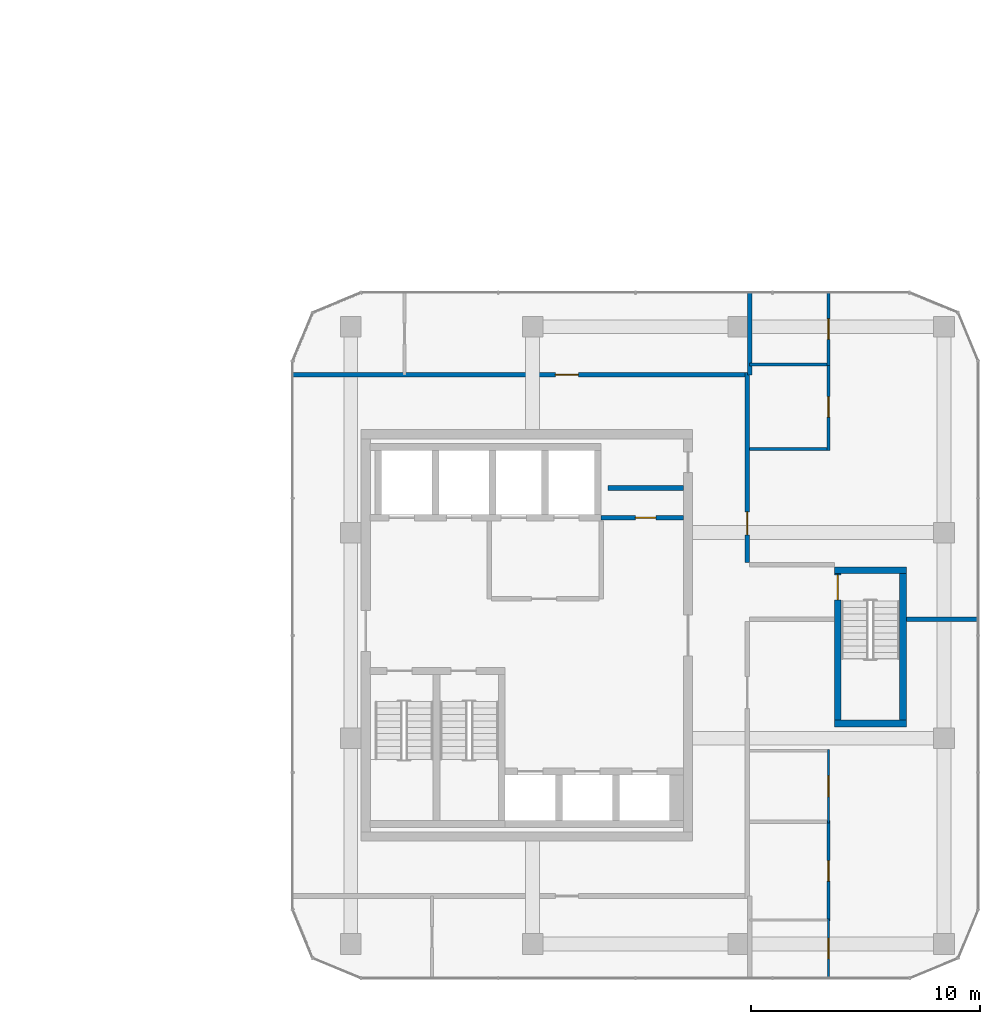
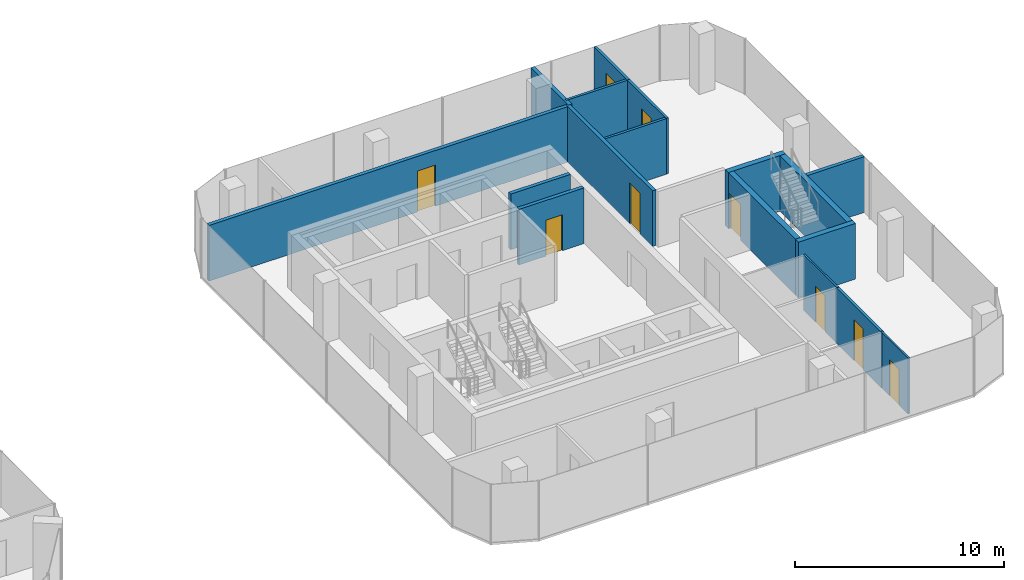
# One storey, part 18 of 22: 17 walls, 9 doors, 9 openings.
"""IFC4 building model written with IfcOpenShell, lengths in metres."""

from ifc_helpers import new_model, si_unit, direction, frame, frame_2d, origin, place, context, subcontext, project, spatial, rectangle, extrude, material, layer, layer_set, type_object, element, fill, save


model = new_model("IFC4")

# Units and contexts
model_context = context("Model", 3, precision=1e-05, world=origin(), true_north=direction((0.0, 1.0)))
body_context = subcontext(model_context, "Body", "Model", "MODEL_VIEW")
ifc_project = project(units=[si_unit("LENGTHUNIT", "METRE"), si_unit("AREAUNIT", "SQUARE_METRE"), si_unit("VOLUMEUNIT", "CUBIC_METRE"), si_unit("PLANEANGLEUNIT", "RADIAN"), si_unit("MASSUNIT", "GRAM", prefix="KILO")], contexts=[model_context])

# Site, building, storey
site_placement = place(None, origin())
site = spatial("IfcSite", under=ifc_project, at=site_placement, CompositionType="ELEMENT")
building_placement = place(site_placement, origin())
building = spatial("IfcBuilding", under=site, at=building_placement, Name="Plateau Cross Towers", CompositionType="ELEMENT")
storey_placement = place(building_placement, frame((0.0, 0.0, 102.800048828125)))
storey = spatial("IfcBuildingStorey", under=building, at=storey_placement, Name="L26", CompositionType="ELEMENT", Elevation=102.800048828125)

# Wall, opening, door
ifc_material_1 = material(Name="Concrete block, plastered both sides", Category="concrete")
ifc_layer_1 = layer(ifc_material_1, 0.199951171875)
ifc_layer_set_1 = layer_set([ifc_layer_1], Name="Concrete block, plastered both sides")
wall_type_1 = type_object("IfcWallType", Name="Core partition 200", PredefinedType="PARTITIONING", material=ifc_layer_set_1)
wall_1_placement = place(storey_placement, frame((85.5, 14.14990234375, 0.0), z_axis=(0.0, 0.0, 1.0), x_axis=(1.0, 0.0, 0.0)))
wall_1 = element("IfcWall", 1, at=wall_1_placement, inside=storey, type_object=wall_type_1, Name="Core partition", PredefinedType="PARTITIONING", context=body_context, shape_type="SweptSolid", body=[
    extrude(rectangle(XDim=3.60009765625, YDim=0.199951171875, at=frame_2d((1.800048828125, 0.0))), origin(), (0.0, 0.0, 1.0), 3.25),
])
opening_1_placement = place(wall_1_placement, frame((1.5, 0.0, 0.0)))
opening_1 = element("IfcOpeningElement", 2, at=opening_1_placement, cuts=wall_1, Name="Opening RD2", PredefinedType="OPENING", context=body_context, shape_type="SweptSolid", body=[
    extrude(rectangle(XDim=0.89990234375, YDim=2.10009765625, at=frame_2d((0.449951171875, 1.050048828125))), frame((0.0, 0.10986328125, 0.0), z_axis=(0.0, -1.0, 0.0), x_axis=(1.0, 0.0, 0.0)), (0.0, 0.0, 1.0), 0.219970703125),
])
ifc_material_2 = material(Name="Steel, fire-resisting leaf", Category="steel")
door_type_1 = type_object("IfcDoorType", Name="Core riser door 900", OperationType="NOTDEFINED", PredefinedType="DOOR", material=ifc_material_2)
door_1_placement = place(opening_1_placement, origin())
door_1 = element("IfcDoor", 3, at=door_1_placement, inside=storey, type_object=door_type_1, Name="Core riser door RD2", OperationType="SINGLE_SWING_LEFT", OverallHeight=2.10009765625, OverallWidth=0.89990234375, PredefinedType="DOOR", context=body_context, shape_type="SweptSolid", body=[
    extrude(rectangle(XDim=0.89990234375, YDim=2.10009765625, at=frame_2d((0.449951171875, 1.050048828125))), frame((0.0, 0.02490234375, 0.0), z_axis=(0.0, -1.0, 0.0), x_axis=(1.0, 0.0, 0.0)), (0.0, 0.0, 1.0), 0.050048828125),
])
fill(opening_1, door_1)

# Wall
wall_2_placement = place(storey_placement, frame((85.800048828125, 15.449951171875, 0.0), z_axis=(0.0, 0.0, 1.0), x_axis=(1.0, 0.0, 0.0)))
element("IfcWall", 4, at=wall_2_placement, inside=storey, type_object=wall_type_1, Name="Core partition", PredefinedType="PARTITIONING", context=body_context, shape_type="SweptSolid", body=[
    extrude(rectangle(XDim=3.300048828125, YDim=0.199951171875, at=frame_2d((1.64990234375, 0.0))), origin(), (0.0, 0.0, 1.0), 3.25),
])

# Wall, opening, door
ifc_material_3 = material(Name="Concrete C60/75", Category="concrete")
ifc_layer_2 = layer(ifc_material_3, 0.300048828125)
ifc_layer_set_2 = layer_set([ifc_layer_2], Name="Concrete C60/75")
wall_type_2 = type_object("IfcWallType", Name="Core shaft wall 300", PredefinedType="SHEAR", material=ifc_layer_set_2)
wall_3_placement = place(storey_placement, frame((95.85009765625, 5.300048828125, 0.0), z_axis=(0.0, 0.0, 1.0), x_axis=(0.0, 1.0, 0.0)))
wall_3 = element("IfcWall", 5, at=wall_3_placement, inside=storey, type_object=wall_type_2, Name="B-sb3-W@L26", PredefinedType="SHEAR", context=body_context, shape_type="SweptSolid", body=[
    extrude(rectangle(XDim=6.39990234375, YDim=0.300048828125, at=frame_2d((3.199951171875, 0.0))), origin(), (0.0, 0.0, 1.0), 3.25),
])
opening_2_placement = place(wall_3_placement, frame((5.25, 0.0, 0.0)))
opening_2 = element("IfcOpeningElement", 6, at=opening_2_placement, cuts=wall_3, Name="Opening SD", PredefinedType="OPENING", context=body_context, shape_type="SweptSolid", body=[
    extrude(rectangle(XDim=1.10009765625, YDim=2.10009765625, at=frame_2d((0.550048828125, 1.050048828125))), frame((0.0, 0.159912109375, 0.0), z_axis=(0.0, -1.0, 0.0), x_axis=(1.0, 0.0, 0.0)), (0.0, 0.0, 1.0), 0.320068359375),
])
door_type_2 = type_object("IfcDoorType", Name="Stair door 1100", OperationType="NOTDEFINED", PredefinedType="DOOR", material=ifc_material_2)
door_2_placement = place(opening_2_placement, origin())
door_2 = element("IfcDoor", 7, at=door_2_placement, inside=storey, type_object=door_type_2, Name="Stair door SD", OperationType="SINGLE_SWING_LEFT", OverallHeight=2.10009765625, OverallWidth=1.10009765625, PredefinedType="DOOR", context=body_context, shape_type="SweptSolid", body=[
    extrude(rectangle(XDim=1.10009765625, YDim=2.10009765625, at=frame_2d((0.550048828125, 1.050048828125))), frame((0.0, 0.02490234375, 0.0), z_axis=(0.0, -1.0, 0.0), x_axis=(1.0, 0.0, 0.0)), (0.0, 0.0, 1.0), 0.050048828125),
])
fill(opening_2, door_2)

# Walls
wall_4_placement = place(storey_placement, frame((98.699951171875, 5.300048828125, 0.0), z_axis=(0.0, 0.0, 1.0), x_axis=(0.0, 1.0, 0.0)))
element("IfcWall", 8, at=wall_4_placement, inside=storey, type_object=wall_type_2, Name="B-sb3-E@L26", PredefinedType="SHEAR", context=body_context, shape_type="SweptSolid", body=[
    extrude(rectangle(XDim=6.39990234375, YDim=0.300048828125, at=frame_2d((3.199951171875, 0.0))), origin(), (0.0, 0.0, 1.0), 3.25),
])
for number, where, z_axis, x_axis, name in (
    (9, (95.699951171875, 5.14990234375, 0.0), (0.0, 0.0, 1.0), (1.0, 0.0, 0.0), "B-sb3-S@L26"),
    (10, (95.699951171875, 11.85009765625, 0.0), (0.0, 0.0, 1.0), (1.0, 0.0, 0.0), "B-sb3-N@L26"),
):
    element("IfcWall", number, at=place(storey_placement, frame(where, z_axis=z_axis, x_axis=x_axis)), inside=storey, type_object=wall_type_2, Name=name, PredefinedType="SHEAR", context=body_context, shape_type="SweptSolid", body=[
        extrude(rectangle(XDim=3.150146484375, YDim=0.300048828125, at=frame_2d((1.5751953125, 0.0))), origin(), (0.0, 0.0, 1.0), 3.25),
    ])

# Wall, opening, door
ifc_material_4 = material(Name="Gypsum board on steel studs, two layers each side", Category="steel")
ifc_layer_3 = layer(ifc_material_4, 0.199951171875)
ifc_layer_set_3 = layer_set([ifc_layer_3], Name="Gypsum board on steel studs, two layers each side")
wall_type_3 = type_object("IfcWallType", Name="Corridor wall 200", PredefinedType="PARTITIONING", material=ifc_layer_set_3)
wall_5_placement = place(storey_placement, frame((72.0, 20.39990234375, 0.0), z_axis=(0.0, 0.0, 1.0), x_axis=(1.0, 0.0, 0.0)))
wall_5 = element("IfcWall", 11, at=wall_5_placement, inside=storey, type_object=wall_type_3, Name="Ring wall", PredefinedType="PARTITIONING", context=body_context, shape_type="SweptSolid", body=[
    extrude(rectangle(XDim=20.0, YDim=0.199951171875, at=frame_2d((10.0, 0.0))), origin(), (0.0, 0.0, 1.0), 3.25),
])
opening_3_placement = place(wall_5_placement, frame((11.5, 0.0, 0.0)))
opening_3 = element("IfcOpeningElement", 12, at=opening_3_placement, cuts=wall_5, Name="Opening D-BO10", PredefinedType="OPENING", context=body_context, shape_type="SweptSolid", body=[
    extrude(rectangle(XDim=1.0, YDim=2.39990234375, at=frame_2d((0.5, 1.199951171875))), frame((0.0, 0.10986328125, 0.0), z_axis=(0.0, -1.0, 0.0), x_axis=(1.0, 0.0, 0.0)), (0.0, 0.0, 1.0), 0.219970703125),
])
ifc_material_5 = material(Name="Fire-resisting glazed leaf in a steel frame", Category="steel")
door_type_3 = type_object("IfcDoorType", Name="Office glazed entrance leaf 1000x2400", OperationType="NOTDEFINED", PredefinedType="DOOR", material=ifc_material_5)
door_3_placement = place(opening_3_placement, origin())
door_3 = element("IfcDoor", 13, at=door_3_placement, inside=storey, type_object=door_type_3, Name="Door D-BO10", OperationType="SINGLE_SWING_LEFT", OverallHeight=2.39990234375, OverallWidth=1.0, PredefinedType="DOOR", context=body_context, shape_type="SweptSolid", body=[
    extrude(rectangle(XDim=1.0, YDim=2.39990234375, at=frame_2d((0.5, 1.199951171875))), frame((0.0, 0.02490234375, 0.0), z_axis=(0.0, -1.0, 0.0), x_axis=(1.0, 0.0, 0.0)), (0.0, 0.0, 1.0), 0.050048828125),
])
fill(opening_3, door_3)

wall_6_placement = place(storey_placement, frame((91.89990234375, 12.199951171875, 0.0), z_axis=(0.0, 0.0, 1.0), x_axis=(0.0, 1.0, 0.0)))
wall_6 = element("IfcWall", 14, at=wall_6_placement, inside=storey, type_object=wall_type_3, Name="Ring wall", PredefinedType="PARTITIONING", context=body_context, shape_type="SweptSolid", body=[
    extrude(rectangle(XDim=8.300048828125, YDim=0.199951171875, at=frame_2d((4.14990234375, 0.0))), origin(), (0.0, 0.0, 1.0), 3.25),
])
opening_4_placement = place(wall_6_placement, frame((1.199951171875, 0.0, 0.0)))
opening_4 = element("IfcOpeningElement", 15, at=opening_4_placement, cuts=wall_6, Name="Opening D-BO10", PredefinedType="OPENING", context=body_context, shape_type="SweptSolid", body=[
    extrude(rectangle(XDim=1.0, YDim=2.39990234375, at=frame_2d((0.5, 1.199951171875))), frame((0.0, 0.10986328125, 0.0), z_axis=(0.0, -1.0, 0.0), x_axis=(1.0, 0.0, 0.0)), (0.0, 0.0, 1.0), 0.219970703125),
])
door_4_placement = place(opening_4_placement, origin())
door_4 = element("IfcDoor", 16, at=door_4_placement, inside=storey, type_object=door_type_3, Name="Door D-BO10", OperationType="SINGLE_SWING_LEFT", OverallHeight=2.39990234375, OverallWidth=1.0, PredefinedType="DOOR", context=body_context, shape_type="SweptSolid", body=[
    extrude(rectangle(XDim=1.0, YDim=2.39990234375, at=frame_2d((0.5, 1.199951171875))), frame((0.0, 0.02490234375, 0.0), z_axis=(0.0, -1.0, 0.0), x_axis=(1.0, 0.0, 0.0)), (0.0, 0.0, 1.0), 0.050048828125),
])
fill(opening_4, door_4)

ifc_material_6 = material(Name="Gypsum board on staggered steel studs, mineral wool, two layers each side", Category="steel")
ifc_layer_4 = layer(ifc_material_6, 0.139892578125)
ifc_layer_set_4 = layer_set([ifc_layer_4], Name="Gypsum board on staggered steel studs, mineral wool, two layers each side")
wall_type_4 = type_object("IfcWallType", Name="Meeting room acoustic partition 140", PredefinedType="PARTITIONING", material=ifc_layer_set_4)
wall_7_placement = place(storey_placement, frame((95.449951171875, -3.5, 0.0), z_axis=(0.0, 0.0, 1.0), x_axis=(0.0, 1.0, 0.0)))
wall_7 = element("IfcWall", 17, at=wall_7_placement, inside=storey, type_object=wall_type_4, Name="Acoustic wall", PredefinedType="PARTITIONING", context=body_context, shape_type="SweptSolid", body=[
    extrude(rectangle(XDim=4.39990234375, YDim=0.139892578125, at=frame_2d((2.199951171875, 0.0))), origin(), (0.0, 0.0, 1.0), 3.25),
])
opening_5_placement = place(wall_7_placement, frame((1.75, 0.0, 0.0)))
opening_5 = element("IfcOpeningElement", 18, at=opening_5_placement, cuts=wall_7, Name="Opening D-BM9", PredefinedType="OPENING", context=body_context, shape_type="SweptSolid", body=[
    extrude(rectangle(XDim=0.89990234375, YDim=2.39990234375, at=frame_2d((0.449951171875, 1.199951171875))), frame((0.0, 0.079833984375, 0.0), z_axis=(0.0, -1.0, 0.0), x_axis=(1.0, 0.0, 0.0)), (0.0, 0.0, 1.0), 0.159912109375),
])
ifc_material_7 = material(Name="Timber leaf, full height", Category="wood")
door_type_4 = type_object("IfcDoorType", Name="Meeting room door 900x2400", OperationType="NOTDEFINED", PredefinedType="DOOR", material=ifc_material_7)
door_5_placement = place(opening_5_placement, origin())
door_5 = element("IfcDoor", 19, at=door_5_placement, inside=storey, type_object=door_type_4, Name="Door D-BM9", OperationType="SINGLE_SWING_LEFT", OverallHeight=2.39990234375, OverallWidth=0.89990234375, PredefinedType="DOOR", context=body_context, shape_type="SweptSolid", body=[
    extrude(rectangle(XDim=0.89990234375, YDim=2.39990234375, at=frame_2d((0.449951171875, 1.199951171875))), frame((0.0, 0.02490234375, 0.0), z_axis=(0.0, -1.0, 0.0), x_axis=(1.0, 0.0, 0.0)), (0.0, 0.0, 1.0), 0.050048828125),
])
fill(opening_5, door_5)

wall_8_placement = place(storey_placement, frame((95.449951171875, 20.800048828125, 0.0), z_axis=(0.0, 0.0, 1.0), x_axis=(0.0, 1.0, 0.0)))
wall_8 = element("IfcWall", 20, at=wall_8_placement, inside=storey, type_object=wall_type_4, Name="Acoustic wall", PredefinedType="PARTITIONING", context=body_context, shape_type="SweptSolid", body=[
    extrude(rectangle(XDim=3.199951171875, YDim=0.139892578125, at=frame_2d((1.60009765625, 0.0))), origin(), (0.0, 0.0, 1.0), 3.25),
])
opening_6_placement = place(wall_8_placement, frame((1.14990234375, 0.0, 0.0)))
opening_6 = element("IfcOpeningElement", 21, at=opening_6_placement, cuts=wall_8, Name="Opening D-BM9", PredefinedType="OPENING", context=body_context, shape_type="SweptSolid", body=[
    extrude(rectangle(XDim=0.89990234375, YDim=2.39990234375, at=frame_2d((0.449951171875, 1.199951171875))), frame((0.0, 0.079833984375, 0.0), z_axis=(0.0, -1.0, 0.0), x_axis=(1.0, 0.0, 0.0)), (0.0, 0.0, 1.0), 0.159912109375),
])
door_6_placement = place(opening_6_placement, origin())
door_6 = element("IfcDoor", 22, at=door_6_placement, inside=storey, type_object=door_type_4, Name="Door D-BM9", OperationType="SINGLE_SWING_LEFT", OverallHeight=2.39990234375, OverallWidth=0.89990234375, PredefinedType="DOOR", context=body_context, shape_type="SweptSolid", body=[
    extrude(rectangle(XDim=0.89990234375, YDim=2.39990234375, at=frame_2d((0.449951171875, 1.199951171875))), frame((0.0, 0.02490234375, 0.0), z_axis=(0.0, -1.0, 0.0), x_axis=(1.0, 0.0, 0.0)), (0.0, 0.0, 1.0), 0.050048828125),
])
fill(opening_6, door_6)

# Wall
wall_9_placement = place(storey_placement, frame((92.0, 20.85009765625, 0.0), z_axis=(0.0, 0.0, 1.0), x_axis=(1.0, 0.0, 0.0)))
element("IfcWall", 23, at=wall_9_placement, inside=storey, type_object=wall_type_4, Name="Acoustic wall", PredefinedType="PARTITIONING", context=body_context, shape_type="SweptSolid", body=[
    extrude(rectangle(XDim=3.3798828125, YDim=0.139892578125, at=frame_2d((1.68994140625, 0.0))), origin(), (0.0, 0.0, 1.0), 3.25),
])

# Wall, opening, door
wall_10_placement = place(storey_placement, frame((95.449951171875, 17.10009765625, 0.0), z_axis=(0.0, 0.0, 1.0), x_axis=(0.0, 1.0, 0.0)))
wall_10 = element("IfcWall", 24, at=wall_10_placement, inside=storey, type_object=wall_type_4, Name="Acoustic wall", PredefinedType="PARTITIONING", context=body_context, shape_type="SweptSolid", body=[
    extrude(rectangle(XDim=3.7998046875, YDim=0.139892578125, at=frame_2d((1.89990234375, 0.0))), origin(), (0.0, 0.0, 1.0), 3.25),
])
opening_7_placement = place(wall_10_placement, frame((1.449951171875, 0.0, 0.0)))
opening_7 = element("IfcOpeningElement", 25, at=opening_7_placement, cuts=wall_10, Name="Opening D-BM9", PredefinedType="OPENING", context=body_context, shape_type="SweptSolid", body=[
    extrude(rectangle(XDim=0.89990234375, YDim=2.39990234375, at=frame_2d((0.449951171875, 1.199951171875))), frame((0.0, 0.079833984375, 0.0), z_axis=(0.0, -1.0, 0.0), x_axis=(1.0, 0.0, 0.0)), (0.0, 0.0, 1.0), 0.159912109375),
])
door_7_placement = place(opening_7_placement, origin())
door_7 = element("IfcDoor", 26, at=door_7_placement, inside=storey, type_object=door_type_4, Name="Door D-BM9", OperationType="SINGLE_SWING_LEFT", OverallHeight=2.39990234375, OverallWidth=0.89990234375, PredefinedType="DOOR", context=body_context, shape_type="SweptSolid", body=[
    extrude(rectangle(XDim=0.89990234375, YDim=2.39990234375, at=frame_2d((0.449951171875, 1.199951171875))), frame((0.0, 0.02490234375, 0.0), z_axis=(0.0, -1.0, 0.0), x_axis=(1.0, 0.0, 0.0)), (0.0, 0.0, 1.0), 0.050048828125),
])
fill(opening_7, door_7)

# Wall
wall_11_placement = place(storey_placement, frame((92.0, 17.14990234375, 0.0), z_axis=(0.0, 0.0, 1.0), x_axis=(1.0, 0.0, 0.0)))
element("IfcWall", 27, at=wall_11_placement, inside=storey, type_object=wall_type_4, Name="Acoustic wall", PredefinedType="PARTITIONING", context=body_context, shape_type="SweptSolid", body=[
    extrude(rectangle(XDim=3.3798828125, YDim=0.139892578125, at=frame_2d((1.68994140625, 0.0))), origin(), (0.0, 0.0, 1.0), 3.25),
])

# Wall, opening, door
ifc_material_8 = material(Name="Gypsum board on steel studs", Category="steel")
ifc_layer_5 = layer(ifc_material_8, 0.10009765625)
ifc_layer_set_5 = layer_set([ifc_layer_5], Name="Gypsum board on steel studs")
wall_type_5 = type_object("IfcWallType", Name="Office partition 100", PredefinedType="PARTITIONING", material=ifc_layer_set_5)
wall_12_placement = place(storey_placement, frame((95.449951171875, -6.0, 0.0), z_axis=(0.0, 0.0, 1.0), x_axis=(0.0, 1.0, 0.0)))
wall_12 = element("IfcWall", 28, at=wall_12_placement, inside=storey, type_object=wall_type_5, Name="Part wall", PredefinedType="PARTITIONING", context=body_context, shape_type="SweptSolid", body=[
    extrude(rectangle(XDim=2.60009765625, YDim=0.10009765625, at=frame_2d((1.300048828125, 0.0))), origin(), (0.0, 0.0, 1.0), 3.25),
])
opening_8_placement = place(wall_12_placement, frame((0.85009765625, 0.0, 0.0)))
opening_8 = element("IfcOpeningElement", 29, at=opening_8_placement, cuts=wall_12, Name="Opening D-BR9", PredefinedType="OPENING", context=body_context, shape_type="SweptSolid", body=[
    extrude(rectangle(XDim=0.89990234375, YDim=2.10009765625, at=frame_2d((0.449951171875, 1.050048828125))), frame((0.0, 0.06005859375, 0.0), z_axis=(0.0, -1.0, 0.0), x_axis=(1.0, 0.0, 0.0)), (0.0, 0.0, 1.0), 0.1201171875),
])
ifc_material_9 = material(Name="Timber leaf", Category="wood")
door_type_5 = type_object("IfcDoorType", Name="Office room door 900", OperationType="NOTDEFINED", PredefinedType="DOOR", material=ifc_material_9)
door_8_placement = place(opening_8_placement, origin())
door_8 = element("IfcDoor", 30, at=door_8_placement, inside=storey, type_object=door_type_5, Name="Door D-BR9", OperationType="SINGLE_SWING_LEFT", OverallHeight=2.10009765625, OverallWidth=0.89990234375, PredefinedType="DOOR", context=body_context, shape_type="SweptSolid", body=[
    extrude(rectangle(XDim=0.89990234375, YDim=2.10009765625, at=frame_2d((0.449951171875, 1.050048828125))), frame((0.0, 0.02490234375, 0.0), z_axis=(0.0, -1.0, 0.0), x_axis=(1.0, 0.0, 0.0)), (0.0, 0.0, 1.0), 0.050048828125),
])
fill(opening_8, door_8)

wall_13_placement = place(storey_placement, frame((95.449951171875, 0.800048828125, 0.0), z_axis=(0.0, 0.0, 1.0), x_axis=(0.0, 1.0, 0.0)))
wall_13 = element("IfcWall", 31, at=wall_13_placement, inside=storey, type_object=wall_type_5, Name="Part wall", PredefinedType="PARTITIONING", context=body_context, shape_type="SweptSolid", body=[
    extrude(rectangle(XDim=3.199951171875, YDim=0.10009765625, at=frame_2d((1.60009765625, 0.0))), origin(), (0.0, 0.0, 1.0), 3.25),
])
opening_9_placement = place(wall_13_placement, frame((1.14990234375, 0.0, 0.0)))
opening_9 = element("IfcOpeningElement", 32, at=opening_9_placement, cuts=wall_13, Name="Opening D-BR9", PredefinedType="OPENING", context=body_context, shape_type="SweptSolid", body=[
    extrude(rectangle(XDim=0.89990234375, YDim=2.10009765625, at=frame_2d((0.449951171875, 1.050048828125))), frame((0.0, 0.06005859375, 0.0), z_axis=(0.0, -1.0, 0.0), x_axis=(1.0, 0.0, 0.0)), (0.0, 0.0, 1.0), 0.1201171875),
])
door_9_placement = place(opening_9_placement, origin())
door_9 = element("IfcDoor", 33, at=door_9_placement, inside=storey, type_object=door_type_5, Name="Door D-BR9", OperationType="SINGLE_SWING_LEFT", OverallHeight=2.10009765625, OverallWidth=0.89990234375, PredefinedType="DOOR", context=body_context, shape_type="SweptSolid", body=[
    extrude(rectangle(XDim=0.89990234375, YDim=2.10009765625, at=frame_2d((0.449951171875, 1.050048828125))), frame((0.0, 0.02490234375, 0.0), z_axis=(0.0, -1.0, 0.0), x_axis=(1.0, 0.0, 0.0)), (0.0, 0.0, 1.0), 0.050048828125),
])
fill(opening_9, door_9)

# Walls
ifc_layer_6 = layer(ifc_material_4, 0.199951171875)
ifc_layer_set_6 = layer_set([ifc_layer_6], Name="Gypsum board on steel studs, two layers each side")
wall_type_6 = type_object("IfcWallType", Name="Tenancy demising wall 200", PredefinedType="PARTITIONING", material=ifc_layer_set_6)
wall_14_placement = place(storey_placement, frame((98.85009765625, 9.699951171875, 0.0), z_axis=(0.0, 0.0, 1.0), x_axis=(1.0, 0.0, 0.0)))
element("IfcWall", 34, at=wall_14_placement, inside=storey, type_object=wall_type_6, Name="Demising wall", PredefinedType="PARTITIONING", context=body_context, shape_type="SweptSolid", body=[
    extrude(rectangle(XDim=3.14990234375, YDim=0.199951171875, at=frame_2d((1.574951171875, 0.0))), origin(), (0.0, 0.0, 1.0), 3.25),
])
wall_15_placement = place(storey_placement, frame((92.0, 20.39990234375, 0.0), z_axis=(0.0, 0.0, 1.0), x_axis=(0.0, 1.0, 0.0)))
element("IfcWall", 35, at=wall_15_placement, inside=storey, type_object=wall_type_6, Name="Demising wall", PredefinedType="PARTITIONING", context=body_context, shape_type="SweptSolid", body=[
    extrude(rectangle(XDim=3.60009765625, YDim=0.199951171875, at=frame_2d((1.800048828125, 0.0))), origin(), (0.0, 0.0, 1.0), 3.25),
])

save(model, "model.ifc")
